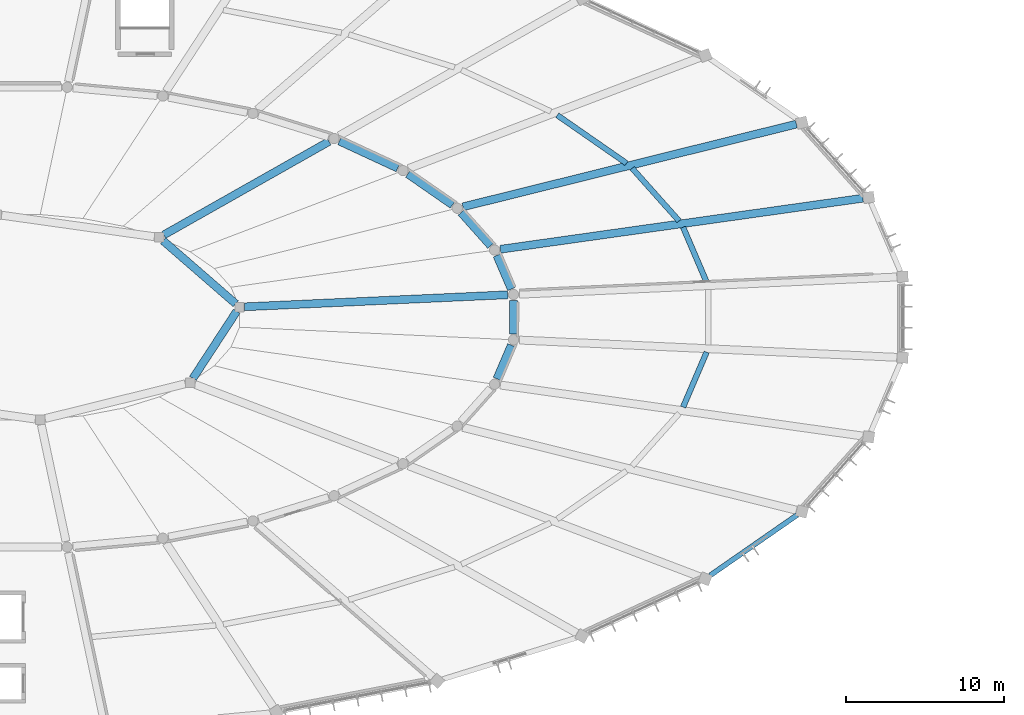
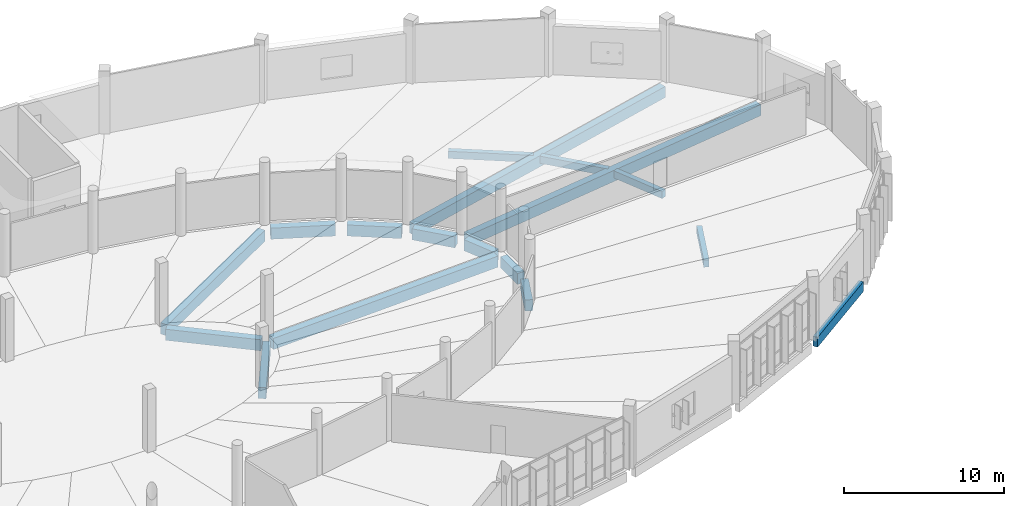
# One storey, part 67 of 179: 17 beams.
"""IFC4 building model written with IfcOpenShell, lengths in metres."""

import ifcopenshell
import ifcopenshell.guid

model = None  # the IFC model being written
_history = None  # IfcOwnerHistory: only IFC2X3 demands one
_inside = {}  # id of a spatial element -> (the spatial element, [elements in it])
_under = {}  # id of a project, library or spatial element -> (it, [spatial elements below it])
_declared = {}  # id of a project -> (the project, [libraries it declares])
_typed = {}  # id of a type object -> (the type object, [elements of that type])
_made_of = {}  # id of a material, layer set ... -> (it, [elements and type objects made of it])


def new_model(schema):
    """Start an empty IFC model of exactly this schema.

    Asked for "IFC4X3", IfcOpenShell would pick the latest addendum, in which some entities
    have other attributes; the version numbers below select the first issue.
    IFC2X3 requires an IfcOwnerHistory on every rooted entity: one is made here for all.
    """
    global model, _history
    if schema == "IFC4X3":
        model = ifcopenshell.file(schema_version=(4, 3, 0, 0))
    else:
        model = ifcopenshell.file(schema=schema)
    _inside.clear()
    _under.clear()
    _declared.clear()
    _typed.clear()
    _made_of.clear()
    _history = None
    if model.schema == "IFC2X3":
        org = make("IfcOrganization", Name="unknown")
        user = make(
            "IfcPersonAndOrganization",
            ThePerson=make("IfcPerson", FamilyName="unknown"),
            TheOrganization=org,
        )
        app = make(
            "IfcApplication",
            ApplicationDeveloper=org,
            Version="unknown",
            ApplicationFullName="unknown",
            ApplicationIdentifier="unknown",
        )
        _history = make(
            "IfcOwnerHistory",
            OwningUser=user,
            OwningApplication=app,
            ChangeAction="ADDED",
            CreationDate=0,
        )
    return model


def make(cls, **values):
    """One entity of the class cls with the attributes given. An attribute that is None is left unset."""
    return model.create_entity(
        cls, **{name: value for name, value in values.items() if value is not None}
    )


def rooted(cls, **values):
    """An entity with a GlobalId (a new one), such as an element, a storey or a relation."""
    return make(cls, GlobalId=ifcopenshell.guid.new(), OwnerHistory=_history, **values)


def si_unit(unit_type, name, prefix=None):
    """IfcSIUnit, for example si_unit("LENGTHUNIT", "METRE", prefix="MILLI")."""
    return make("IfcSIUnit", UnitType=unit_type, Prefix=prefix, Name=name)


def assignment(units):
    """IfcUnitAssignment: the units of a project."""
    return None if units is None else make("IfcUnitAssignment", Units=units)


def point(xyz):
    """IfcCartesianPoint."""
    return None if xyz is None else make("IfcCartesianPoint", Coordinates=xyz)


def direction(xyz):
    """IfcDirection."""
    return None if xyz is None else make("IfcDirection", DirectionRatios=xyz)


def frame(location, z_axis=None, x_axis=None):
    """IfcAxis2Placement3D, a coordinate frame: its origin and axes. An axis left out is left unset."""
    return make(
        "IfcAxis2Placement3D",
        Location=point(location),
        Axis=direction(z_axis),
        RefDirection=direction(x_axis),
    )


def frame_2d(location, x_axis=None):
    """IfcAxis2Placement2D, a coordinate frame in the plane: its origin and x axis."""
    return make(
        "IfcAxis2Placement2D", Location=point(location), RefDirection=direction(x_axis)
    )


def origin():
    """The frame at (0, 0, 0) with its axes left unset."""
    return frame((0.0, 0.0, 0.0))


def origin_2d():
    """The frame at (0, 0) in the plane with its x axis left unset."""
    return frame_2d((0.0, 0.0))


def place(relative_to, where):
    """IfcLocalPlacement: puts the frame where relative to a parent placement (None: the world)."""
    return make(
        "IfcLocalPlacement", PlacementRelTo=relative_to, RelativePlacement=where
    )


def context(
    kind, dimensions, precision=None, world=None, true_north=None, identifier=None
):
    """IfcGeometricRepresentationContext, for example the 3D "Model" context."""
    return make(
        "IfcGeometricRepresentationContext",
        ContextIdentifier=identifier,
        ContextType=kind,
        CoordinateSpaceDimension=dimensions,
        Precision=precision,
        WorldCoordinateSystem=world,
        TrueNorth=true_north,
    )


def subcontext(parent, identifier, kind, view, scale=None):
    """IfcGeometricRepresentationSubContext, for example "Body" below "Model"."""
    return make(
        "IfcGeometricRepresentationSubContext",
        ContextIdentifier=identifier,
        ContextType=kind,
        ParentContext=parent,
        TargetScale=scale,
        TargetView=view,
    )


def project(units=None, contexts=None):
    """IfcProject with its units and contexts."""
    return rooted(
        "IfcProject",
        Name="project",
        RepresentationContexts=contexts,
        UnitsInContext=assignment(units),
    )


def spatial(cls, under=None, at=None, **own):
    """A site, building, storey or space (cls), placed at a placement, below another one or the project."""
    s = rooted(cls, ObjectPlacement=at, **own)
    if under is not None:
        _under.setdefault(under.id(), (under, []))[1].append(s)
    return s


def profile(cls, at=None, kind="AREA", **sizes):
    """A parametric profile (cls). Its sizes go by their IFC names, for example OverallWidth=200.0."""
    return make(cls, ProfileType=kind, Position=at, **sizes)


def rectangle(**sizes):
    """IfcRectangleProfileDef."""
    return profile("IfcRectangleProfileDef", **sizes)


def extrude(swept, where, along, depth):
    """IfcExtrudedAreaSolid: the profile swept, set in the frame where, extruded along a direction by depth."""
    return make(
        "IfcExtrudedAreaSolid",
        SweptArea=swept,
        Position=where,
        ExtrudedDirection=direction(along),
        Depth=depth,
    )


def shape(context_of_items, identifier, shape_type, items):
    """IfcShapeRepresentation: the items that make up one representation, for example the "Body"."""
    return make(
        "IfcShapeRepresentation",
        ContextOfItems=context_of_items,
        RepresentationIdentifier=identifier,
        RepresentationType=shape_type,
        Items=items,
    )


def material(Name=None, Category=None):
    """IfcMaterial."""
    return make("IfcMaterial", Name=Name, Category=Category)


def material_profile(
    of_material, cross_section, Name=None, Category=None, Priority=None
):
    """IfcMaterialProfile: a cross section and its material."""
    return make(
        "IfcMaterialProfile",
        Name=Name,
        Material=of_material,
        Profile=cross_section,
        Priority=Priority,
        Category=Category,
    )


def profile_set(profiles, Name=None, composite=None):
    """IfcMaterialProfileSet."""
    return make(
        "IfcMaterialProfileSet",
        Name=Name,
        MaterialProfiles=profiles,
        CompositeProfile=composite,
    )


def made_of(thing, what):
    """Note that an element or type object is made of a material, layer set ...; save() writes the relation."""
    if what is not None:
        _made_of.setdefault(what.id(), (what, []))[1].append(thing)
    return thing


def type_object(cls, material=None, **own):
    """A type object (cls), such as IfcWallType, which elements share."""
    return made_of(rooted(cls, **own), material)


def element(
    cls,
    number,
    at=None,
    inside=None,
    cuts=None,
    type_object=None,
    material=None,
    context=None,
    identifier="Body",
    shape_type=None,
    held_by="IfcProductDefinitionShape",
    body=None,
    shapes=None,
    **own,
):
    """One element of the class cls, such as IfcWall. Its Tag is "e" and its number.

    at: its placement. inside: the storey or other place that contains it. cuts: it is an
    opening in that element (IfcRelVoidsElement). A single representation is given by context,
    identifier, shape_type and body (its items); several are given by shapes. held_by: the class
    of the entity that holds the representations. save() writes the other relations.
    """
    e = rooted(cls, Tag="e%d" % number, ObjectPlacement=at, **own)
    if body is not None:
        shapes = [shape(context, identifier, shape_type, body)]
    if shapes is not None:
        e.Representation = make(held_by, Representations=shapes)
    if inside is not None:
        _inside.setdefault(inside.id(), (inside, []))[1].append(e)
    if cuts is not None:
        rooted(
            "IfcRelVoidsElement", RelatingBuildingElement=cuts, RelatedOpeningElement=e
        )
    if type_object is not None:
        _typed.setdefault(type_object.id(), (type_object, []))[1].append(e)
    return made_of(e, material)


def aggregate(whole, parts):
    """IfcRelAggregates: a whole, such as a stair, and the parts it consists of."""
    return rooted("IfcRelAggregates", RelatingObject=whole, RelatedObjects=parts)


def save(model, path):
    """Write the relations noted so far, then the file.

    IfcRelAggregates (storeys below a building ...), IfcRelContainedInSpatialStructure (elements
    in a storey), IfcRelDefinesByType, IfcRelAssociatesMaterial and IfcRelDeclares: one each for
    every whole, place, type object, material and project.
    """
    for whole, parts in _under.values():
        aggregate(whole, parts)
    for where, things in _inside.values():
        rooted(
            "IfcRelContainedInSpatialStructure",
            RelatedElements=things,
            RelatingStructure=where,
        )
    for kind, things in _typed.values():
        rooted("IfcRelDefinesByType", RelatedObjects=things, RelatingType=kind)
    for what, things in _made_of.values():
        rooted("IfcRelAssociatesMaterial", RelatedObjects=things, RelatingMaterial=what)
    for by, libraries in _declared.values():
        rooted("IfcRelDeclares", RelatingContext=by, RelatedDefinitions=libraries)
    model.write(path)


model = new_model("IFC4")

# Units and contexts
model_context = context("Model", 3, precision=1e-05, world=origin(), true_north=direction((0.0, 1.0)))
body_context = subcontext(model_context, "Body", "Model", "MODEL_VIEW")
ifc_project = project(units=[si_unit("LENGTHUNIT", "METRE"), si_unit("AREAUNIT", "SQUARE_METRE"), si_unit("VOLUMEUNIT", "CUBIC_METRE"), si_unit("PLANEANGLEUNIT", "RADIAN"), si_unit("MASSUNIT", "GRAM", prefix="KILO")], contexts=[model_context])

# Site, building, storey
site_placement = place(None, origin())
site = spatial("IfcSite", under=ifc_project, at=site_placement, CompositionType="ELEMENT")
building_placement = place(site_placement, origin())
building = spatial("IfcBuilding", under=site, at=building_placement, Name="Corvandel Quay Wholesale Market", CompositionType="ELEMENT")
storey_placement = place(building_placement, frame((0.0, 0.0, 6.0)))
storey = spatial("IfcBuildingStorey", under=building, at=storey_placement, Name="L01", CompositionType="ELEMENT", Elevation=6.0)

# Beams
ifc_material = material(Name="Precast concrete C45/55", Category="concrete")
ifc_material_profile_1 = material_profile(ifc_material, rectangle(XDim=0.5, YDim=0.85009765625, at=origin_2d()), Name="PC-GIR-500x850")
ifc_profile_set_1 = profile_set([ifc_material_profile_1], Name="Precast concrete C45/55")
beam_type_1 = type_object("IfcBeamType", Name="Fish Hall Radial Girder G04 500x850", PredefinedType="USERDEFINED", material=ifc_profile_set_1)
beam_1_placement = place(storey_placement, frame((127.75830078125, 116.849853515625, -0.68505859375), z_axis=(-0.754968281992, 0.655761308088, 0.0), x_axis=(-0.655761308088, -0.754968281992, 0.0)))
element("IfcBeam", 1, at=beam_1_placement, inside=storey, type_object=beam_type_1, Name="Beam BM-0490", ObjectType="GIRDER", PredefinedType="USERDEFINED", context=body_context, shape_type="SweptSolid", body=[
    extrude(rectangle(XDim=0.5, YDim=0.85009765625, at=origin_2d()), origin(), (0.0, 0.0, 1.0), 6.08349609375),
])
beam_2_placement = place(storey_placement, frame((144.990478515625, 117.4169921875, -0.68505859375), z_axis=(-0.998955771849, -0.045687699541, 0.0), x_axis=(0.045687699541, -0.998955771849, 0.0)))
element("IfcBeam", 2, at=beam_2_placement, inside=storey, type_object=beam_type_1, Name="Beam BM-0491", ObjectType="GIRDER", PredefinedType="USERDEFINED", context=body_context, shape_type="SweptSolid", body=[
    extrude(rectangle(XDim=0.5, YDim=0.85009765625, at=origin_2d()), origin(), (0.0, 0.0, 1.0), 16.688232421875),
])
beam_3_placement = place(storey_placement, frame((133.6689453125, 127.126708984375, -0.68505859375), z_axis=(-0.870410029758, -0.492327513041, 0.0), x_axis=(0.492327513041, -0.870410029758, 0.0)))
element("IfcBeam", 3, at=beam_3_placement, inside=storey, type_object=beam_type_1, Name="Beam BM-0495", ObjectType="GIRDER", PredefinedType="USERDEFINED", context=body_context, shape_type="SweptSolid", body=[
    extrude(rectangle(XDim=0.5, YDim=0.85009765625, at=origin_2d()), origin(), (0.0, 0.0, 1.0), 12.02490234375),
])
beam_4_placement = place(storey_placement, frame((125.050048828125, 112.123779296875, -0.68505859375), z_axis=(0.546859109744, 0.837224649715, 0.0), x_axis=(-0.837224649715, 0.546859109744, 0.0)))
element("IfcBeam", 4, at=beam_4_placement, inside=storey, type_object=beam_type_1, Name="Beam BM-0518", ObjectType="GIRDER", PredefinedType="USERDEFINED", context=body_context, shape_type="SweptSolid", body=[
    extrude(rectangle(XDim=0.5, YDim=0.85009765625, at=origin_2d()), origin(), (0.0, 0.0, 1.0), 5.07421875),
])
beam_5_placement = place(storey_placement, frame((145.21435546875, 117.774169921875, -0.705078125), z_axis=(-0.393741501962, 0.919221208215, 0.0), x_axis=(-0.919221208215, -0.393741501962, 0.0)))
element("IfcBeam", 5, at=beam_5_placement, inside=storey, type_object=beam_type_1, Name="Beam BM-0523", ObjectType="GIRDER", PredefinedType="USERDEFINED", context=body_context, shape_type="SweptSolid", body=[
    extrude(rectangle(XDim=0.5, YDim=0.85009765625, at=origin_2d()), origin(), (0.0, 0.0, 1.0), 2.3203125),
])
beam_6_placement = place(storey_placement, frame((143.90869140625, 120.523193359375, -0.705078125), z_axis=(-0.665705048761, 0.746214974423, 0.0), x_axis=(-0.746214974423, -0.665705048761, 0.0)))
element("IfcBeam", 6, at=beam_6_placement, inside=storey, type_object=beam_type_1, Name="Beam BM-0530", ObjectType="GIRDER", PredefinedType="USERDEFINED", context=body_context, shape_type="SweptSolid", body=[
    extrude(rectangle(XDim=0.5, YDim=0.85009765625, at=origin_2d()), origin(), (0.0, 0.0, 1.0), 2.81103515625),
])
beam_7_placement = place(storey_placement, frame((167.481689453125, 123.532470703125, -0.705078125), z_axis=(-0.990226177407, -0.139470848487, 0.0), x_axis=(0.139470848487, -0.990226177407, 0.0)))
element("IfcBeam", 7, at=beam_7_placement, inside=storey, type_object=beam_type_1, Name="Beam BM-0531", ObjectType="GIRDER", PredefinedType="USERDEFINED", context=body_context, shape_type="SweptSolid", body=[
    extrude(rectangle(XDim=0.5, YDim=0.85009765625, at=origin_2d()), origin(), (0.0, 0.0, 1.0), 23.186767578125),
])
beam_8_placement = place(storey_placement, frame((141.487060546875, 123.108154296875, -0.705078125), z_axis=(-0.821314522828, 0.570475638911, 0.0), x_axis=(-0.570475638911, -0.821314522828, 0.0)))
element("IfcBeam", 8, at=beam_8_placement, inside=storey, type_object=beam_type_1, Name="Beam BM-0537", ObjectType="GIRDER", PredefinedType="USERDEFINED", context=body_context, shape_type="SweptSolid", body=[
    extrude(rectangle(XDim=0.5, YDim=0.85009765625, at=origin_2d()), origin(), (0.0, 0.0, 1.0), 3.438720703125),
])
beam_9_placement = place(storey_placement, frame((163.267822265625, 128.226806640625, -0.705078125), z_axis=(-0.970559518546, -0.240861414427, 0.0), x_axis=(0.240861414427, -0.970559518546, 0.0)))
element("IfcBeam", 9, at=beam_9_placement, inside=storey, type_object=beam_type_1, Name="Beam BM-0538", ObjectType="GIRDER", PredefinedType="USERDEFINED", context=body_context, shape_type="SweptSolid", body=[
    extrude(rectangle(XDim=0.5, YDim=0.85009765625, at=origin_2d()), origin(), (0.0, 0.0, 1.0), 21.75830078125),
])
beam_10_placement = place(storey_placement, frame((138.0234375, 125.436767578125, -0.705078125), z_axis=(-0.90699099093, 0.421150023592, 0.0), x_axis=(-0.421150023592, -0.90699099093, 0.0)))
element("IfcBeam", 10, at=beam_10_placement, inside=storey, type_object=beam_type_1, Name="Beam BM-0544", ObjectType="GIRDER", PredefinedType="USERDEFINED", context=body_context, shape_type="SweptSolid", body=[
    extrude(rectangle(XDim=0.5, YDim=0.85009765625, at=origin_2d()), origin(), (0.0, 0.0, 1.0), 4.075927734375),
])
beam_11_placement = place(storey_placement, frame((144.30078125, 112.093017578125, -0.705078125), z_axis=(0.393741501962, 0.919221208215, 0.0), x_axis=(-0.919221208215, 0.393741501962, 0.0)))
element("IfcBeam", 11, at=beam_11_placement, inside=storey, type_object=beam_type_1, Name="Beam BM-0748", ObjectType="GIRDER", PredefinedType="USERDEFINED", context=body_context, shape_type="SweptSolid", body=[
    extrude(rectangle(XDim=0.5, YDim=0.85009765625, at=origin_2d()), origin(), (0.0, 0.0, 1.0), 2.3203125),
])
beam_12_placement = place(storey_placement, frame((145.360107421875, 114.93603515625, -0.705078125), z_axis=(0.0, 1.0, 0.0), x_axis=(-1.0, 0.0, 0.0)))
element("IfcBeam", 12, at=beam_12_placement, inside=storey, type_object=beam_type_1, Name="Beam BM-0755", ObjectType="GIRDER", PredefinedType="USERDEFINED", context=body_context, shape_type="SweptSolid", body=[
    extrude(rectangle(XDim=0.5, YDim=0.85009765625, at=origin_2d()), origin(), (0.0, 0.0, 1.0), 2.1279296875),
])
ifc_material_profile_2 = material_profile(ifc_material, rectangle(XDim=0.320068359375, YDim=0.75, at=origin_2d()), Name="PC-SPN-320x750")
ifc_profile_set_2 = profile_set([ifc_material_profile_2], Name="Precast concrete C45/55")
beam_type_2 = type_object("IfcBeamType", Name="Pavilion Precast Spandrel SP02 320x750", PredefinedType="SPANDREL", material=ifc_profile_set_2)
beam_13_placement = place(storey_placement, frame((157.802001953125, 99.63720703125, -0.655029296875), z_axis=(0.821253683959, 0.570563218744, 0.0), x_axis=(-0.570563218744, 0.821253683959, 0.0)))
element("IfcBeam", 13, at=beam_13_placement, inside=storey, type_object=beam_type_2, Name="Beam BM-0733", PredefinedType="SPANDREL", context=body_context, shape_type="SweptSolid", body=[
    extrude(rectangle(XDim=0.320068359375, YDim=0.75, at=origin_2d()), origin(), (0.0, 0.0, 1.0), 6.72265625),
])
ifc_material_profile_3 = material_profile(ifc_material, rectangle(XDim=0.35009765625, YDim=0.550048828125, at=origin_2d()), Name="PC-BM-350x550")
ifc_profile_set_3 = profile_set([ifc_material_profile_3], Name="Precast concrete C45/55")
beam_type_3 = type_object("IfcBeamType", Name="Standard Floor Secondary Beam B03 350x550", PredefinedType="BEAM", material=ifc_profile_set_3)
beam_14_placement = place(storey_placement, frame((157.58544921875, 118.218017578125, -0.554931640625), z_axis=(-0.393794654561, 0.91919843888, 0.0), x_axis=(-0.91919843888, -0.393794654561, 0.0)))
element("IfcBeam", 14, at=beam_14_placement, inside=storey, type_object=beam_type_3, Name="Beam BM-0525", PredefinedType="BEAM", context=body_context, shape_type="SweptSolid", body=[
    extrude(rectangle(XDim=0.35009765625, YDim=0.550048828125, at=origin_2d()), origin(), (0.0, 0.0, 1.0), 3.782470703125),
])
beam_15_placement = place(storey_placement, frame((155.841796875, 122.094482421875, -0.554931640625), z_axis=(-0.665642000542, 0.746271215521, 0.0), x_axis=(-0.746271215521, -0.665642000542, 0.0)))
element("IfcBeam", 15, at=beam_15_placement, inside=storey, type_object=beam_type_3, Name="Beam BM-0532", PredefinedType="BEAM", context=body_context, shape_type="SweptSolid", body=[
    extrude(rectangle(XDim=0.35009765625, YDim=0.550048828125, at=origin_2d()), origin(), (0.0, 0.0, 1.0), 4.46630859375),
])
beam_16_placement = place(storey_placement, frame((152.511962890625, 125.743408203125, -0.554931640625), z_axis=(-0.821286078293, 0.570516588366, 0.0), x_axis=(-0.570516588366, -0.821286078293, 0.0)))
element("IfcBeam", 16, at=beam_16_placement, inside=storey, type_object=beam_type_3, Name="Beam BM-0539", PredefinedType="BEAM", context=body_context, shape_type="SweptSolid", body=[
    extrude(rectangle(XDim=0.35009765625, YDim=0.550048828125, at=origin_2d()), origin(), (0.0, 0.0, 1.0), 5.341064453125),
])
beam_17_placement = place(storey_placement, frame((156.095947265625, 110.30517578125, -0.554931640625), z_axis=(0.393794654561, 0.91919843888, 0.0), x_axis=(-0.91919843888, 0.393794654561, 0.0)))
element("IfcBeam", 17, at=beam_17_placement, inside=storey, type_object=beam_type_3, Name="Beam BM-0750", PredefinedType="BEAM", context=body_context, shape_type="SweptSolid", body=[
    extrude(rectangle(XDim=0.35009765625, YDim=0.550048828125, at=origin_2d()), origin(), (0.0, 0.0, 1.0), 3.782470703125),
])

save(model, "model.ifc")
